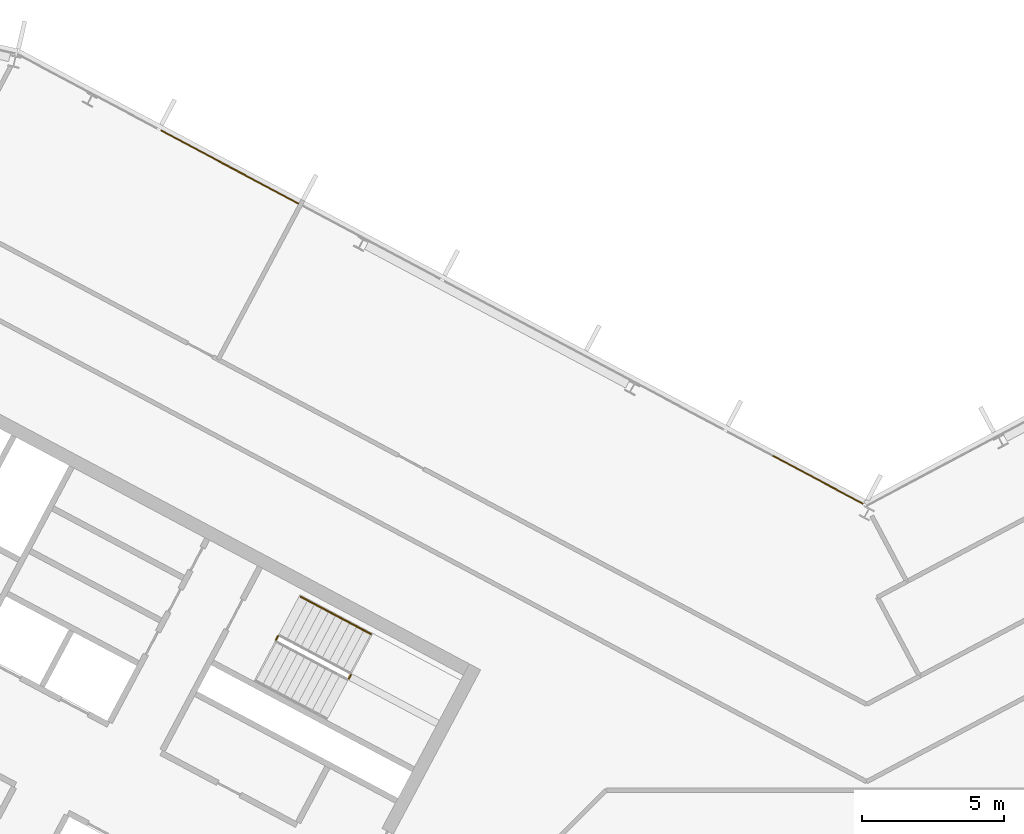
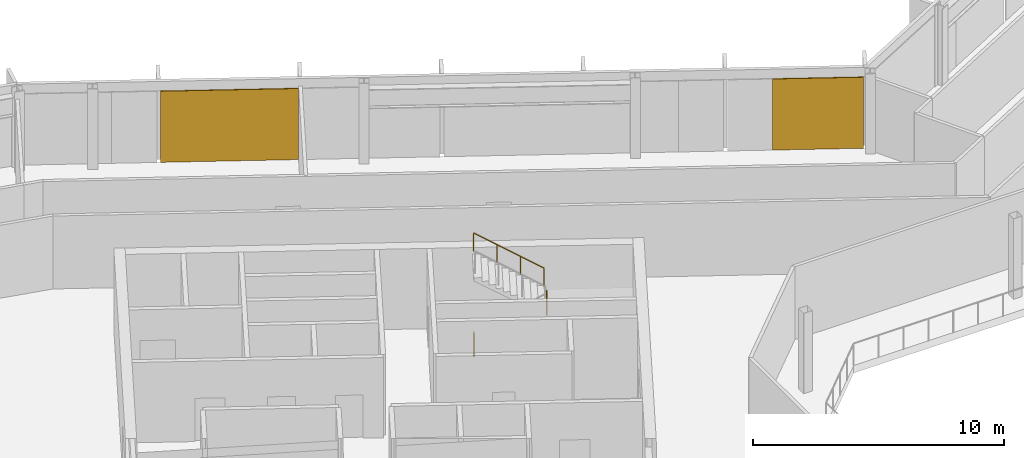
# One storey, part 23 of 26: 3 railings, 2 coverings, 1 element without a shape of its own.
"""IFC4 building model written with IfcOpenShell, lengths in metres."""

from ifc_helpers import new_model, si_unit, direction, frame, origin, origin_2d, place, context, subcontext, project, spatial, polyline, rectangle, outline, extrude, material, layer, layer_set, type_object, element, aggregate, save


model = new_model("IFC4")

# Units and contexts
model_context = context("Model", 3, precision=1e-05, world=origin(), true_north=direction((0.0, 1.0)))
body_context = subcontext(model_context, "Body", "Model", "MODEL_VIEW")
ifc_project = project(units=[si_unit("LENGTHUNIT", "METRE"), si_unit("AREAUNIT", "SQUARE_METRE"), si_unit("VOLUMEUNIT", "CUBIC_METRE"), si_unit("PLANEANGLEUNIT", "RADIAN"), si_unit("MASSUNIT", "GRAM", prefix="KILO")], contexts=[model_context])

# Site, building, storey
site_placement = place(None, origin())
site = spatial("IfcSite", under=ifc_project, at=site_placement, CompositionType="ELEMENT")
building_placement = place(site_placement, origin())
building = spatial("IfcBuilding", under=site, at=building_placement, Name="Cormorant Relay Tower", CompositionType="ELEMENT")
storey_placement = place(building_placement, frame((0.0, 0.0, 285.300048828125)))
storey = spatial("IfcBuildingStorey", under=building, at=storey_placement, Name="L64", CompositionType="ELEMENT", Elevation=285.300048828125)

# Curtain wall, coverings
ifc_material_1 = material(Name="Aluminium 6063-T6 anodised bronze", Category="aluminium")
ifc_layer_1 = layer(ifc_material_1, 0.199951171875)
ifc_layer_set_1 = layer_set([ifc_layer_1], Name="CW1 unitised bronze curtain wall with vertical fins")
curtain_wall_type = type_object("IfcCurtainWallType", Name="CW1 unitised bronze curtain wall with vertical fins", PredefinedType="NOTDEFINED", material=ifc_layer_set_1)
curtain_wall_placement = place(storey_placement, origin())
curtain_wall = element("IfcCurtainWall", 1, at=curtain_wall_placement, inside=storey, type_object=curtain_wall_type, Name="CW1 curtain wall 9", PredefinedType="NOTDEFINED")
ifc_material_2 = material(Name="Pale bronze anodised aluminium insulated panel", Category="aluminium")
ifc_layer_2 = layer(ifc_material_2, 0.0400390625)
ifc_layer_set_2 = layer_set([ifc_layer_2], Name="CW1 pale bronze insulated panel 40")
covering_type = type_object("IfcCoveringType", Name="CW1 pale bronze insulated panel 40", PredefinedType="CLADDING", material=ifc_layer_set_2)
covering_1_placement = place(storey_placement, frame((-1.718505859375, 24.720458984375, 0.0), z_axis=(0.0, 0.0, 1.0), x_axis=(-0.882947592859, 0.469471562786, 0.0)))
covering_1 = element("IfcCovering", 2, at=covering_1_placement, type_object=covering_type, Name="CW1 panel S00", PredefinedType="CLADDING", context=body_context, shape_type="SweptSolid", body=[
    extrude(rectangle(XDim=3.614013671875, YDim=0.0400390625, at=origin_2d()), origin(), (0.0, 0.0, 1.0), 3.449951171875),
])
covering_2_placement = place(storey_placement, frame((-22.39599609375, 35.714599609375, 0.0), z_axis=(0.0, 0.0, 1.0), x_axis=(-0.882947592859, 0.469471562786, 0.0)))
covering_2 = element("IfcCovering", 3, at=covering_2_placement, type_object=covering_type, Name="CW1 panel S05", PredefinedType="CLADDING", context=body_context, shape_type="SweptSolid", body=[
    extrude(rectangle(XDim=5.489013671875, YDim=0.0400390625, at=origin_2d()), origin(), (0.0, 0.0, 1.0), 3.449951171875),
])
aggregate(curtain_wall, [covering_1, covering_2])

# Railings
ifc_material_3 = material(Name="Steel ASTM A572 Grade 50 (Fy 345 MPa)", Category="steel")
railing_type_1 = type_object("IfcRailingType", Name="Stair guard 1100", PredefinedType="GUARDRAIL", material=ifc_material_3)
railing_1_placement = place(storey_placement, frame((-18.210693359375, 17.72412109375, 1.949951171875)))
element("IfcRailing", 4, at=railing_1_placement, inside=storey, type_object=railing_type_1, Name="L64 A1 stair guard 2", PredefinedType="GUARDRAIL", context=body_context, shape_type="SweptSolid", body=[
    extrude(outline(polyline([(0.022216796875, 0.00927734375), (0.00927734375, 0.022216796875), (-0.00927734375, 0.022216796875), (-0.022216796875, 0.00927734375), (-0.022216796875, -0.00927734375), (-0.00927734375, -0.022216796875), (0.00927734375, -0.022216796875), (0.022216796875, -0.00927734375), (0.022216796875, 0.00927734375)])), frame((0.0, 0.0, 1.076171875), z_axis=(0.470503732759, 0.882398003998, 0.0), x_axis=(-0.882398003998, 0.470503732759, 0.0)), (0.0, 0.0, 1.0), 0.14990234375),
    extrude(outline(polyline([(0.019287109375, 0.008056640625), (0.008056640625, 0.019287109375), (-0.008056640625, 0.019287109375), (-0.019287109375, 0.008056640625), (-0.019287109375, -0.008056640625), (-0.008056640625, -0.019287109375), (0.008056640625, -0.019287109375), (0.019287109375, -0.008056640625), (0.019287109375, 0.008056640625)])), origin(), (0.0, 0.0, 1.0), 1.052001953125),
    extrude(outline(polyline([(0.019287109375, 0.008056640625), (0.008056640625, 0.019287109375), (-0.008056640625, 0.019287109375), (-0.019287109375, 0.008056640625), (-0.019287109375, -0.008056640625), (-0.008056640625, -0.019287109375), (0.008056640625, -0.019287109375), (0.019287109375, -0.008056640625), (0.019287109375, 0.008056640625)])), frame((0.070556640625, 0.13232421875, 0.0)), (0.0, 0.0, 1.0), 1.052001953125),
])
railing_2_placement = place(storey_placement, frame((-20.771240234375, 19.08544921875, 0.0)))
element("IfcRailing", 5, at=railing_2_placement, inside=storey, type_object=railing_type_1, Name="L64 A1 stair guard 4", PredefinedType="GUARDRAIL", context=body_context, shape_type="SweptSolid", body=[
    extrude(outline(polyline([(0.022216796875, 0.00927734375), (0.00927734375, 0.022216796875), (-0.00927734375, 0.022216796875), (-0.022216796875, 0.00927734375), (-0.022216796875, -0.00927734375), (-0.00927734375, -0.022216796875), (0.00927734375, -0.022216796875), (0.022216796875, -0.00927734375), (0.022216796875, 0.00927734375)])), frame((0.0, 0.0, 1.076171875), z_axis=(0.469828648786, 0.882757634224, 0.0), x_axis=(-0.882757634224, 0.469828648786, 0.0)), (0.0, 0.0, 1.0), 0.150146484375),
    extrude(outline(polyline([(0.019287109375, 0.008056640625), (0.008056640625, 0.019287109375), (-0.008056640625, 0.019287109375), (-0.019287109375, 0.008056640625), (-0.019287109375, -0.008056640625), (-0.008056640625, -0.019287109375), (0.008056640625, -0.019287109375), (0.019287109375, -0.008056640625), (0.019287109375, 0.008056640625)])), origin(), (0.0, 0.0, 1.0), 1.052001953125),
    extrude(outline(polyline([(0.019287109375, 0.008056640625), (0.008056640625, 0.019287109375), (-0.008056640625, 0.019287109375), (-0.019287109375, 0.008056640625), (-0.019287109375, -0.008056640625), (-0.008056640625, -0.019287109375), (0.008056640625, -0.019287109375), (0.019287109375, -0.008056640625), (0.019287109375, 0.008056640625)])), frame((0.070556640625, 0.132568359375, 0.0)), (0.0, 0.0, 1.0), 1.052001953125),
])
ifc_material_4 = material(Name="Steel ASTM A572 Grade 50 (Fy 345 MPa)", Category="steel")
railing_type_2 = type_object("IfcRailingType", Name="Stair handrail 900", PredefinedType="HANDRAIL", material=ifc_material_4)
railing_3_placement = place(storey_placement, frame((-17.433349609375, 19.292724609375, 2.127197265625)))
element("IfcRailing", 6, at=railing_3_placement, inside=storey, type_object=railing_type_2, Name="L64 A1 stair handrail 2", PredefinedType="HANDRAIL", context=body_context, shape_type="SweptSolid", body=[
    extrude(outline(polyline([(0.022216796875, 0.00927734375), (0.00927734375, 0.022216796875), (-0.00927734375, 0.022216796875), (-0.022216796875, 0.00927734375), (-0.022216796875, -0.00927734375), (-0.00927734375, -0.022216796875), (0.00927734375, -0.022216796875), (0.022216796875, -0.00927734375), (0.022216796875, 0.00927734375)])), frame((0.0, 0.0, 0.8759765625), z_axis=(-0.746001213114, 0.396649272309, 0.534931345884), x_axis=(-0.469465464807, -0.882950835185, 0.0)), (0.0, 0.0, 1.0), 3.31396484375),
    extrude(outline(polyline([(0.019287109375, 0.008056640625), (0.008056640625, 0.019287109375), (-0.008056640625, 0.019287109375), (-0.019287109375, 0.008056640625), (-0.019287109375, -0.008056640625), (-0.008056640625, -0.019287109375), (0.008056640625, -0.019287109375), (0.019287109375, -0.008056640625), (0.019287109375, 0.008056640625)])), origin(), (0.0, 0.0, 1.0), 0.851806640625),
    extrude(outline(polyline([(0.019287109375, 0.008056640625), (0.008056640625, 0.019287109375), (-0.008056640625, 0.019287109375), (-0.019287109375, 0.008056640625), (-0.019287109375, -0.008056640625), (-0.008056640625, -0.019287109375), (0.008056640625, -0.019287109375), (0.019287109375, -0.008056640625), (0.019287109375, 0.008056640625)])), frame((-0.823974609375, 0.438232421875, 0.5908203125)), (0.0, 0.0, 1.0), 0.851806640625),
    extrude(outline(polyline([(0.019287109375, 0.008056640625), (0.008056640625, 0.019287109375), (-0.008056640625, 0.019287109375), (-0.019287109375, 0.008056640625), (-0.019287109375, -0.008056640625), (-0.008056640625, -0.019287109375), (0.008056640625, -0.019287109375), (0.019287109375, -0.008056640625), (0.019287109375, 0.008056640625)])), frame((-1.648193359375, 0.876220703125, 1.181884765625)), (0.0, 0.0, 1.0), 0.851806640625),
    extrude(outline(polyline([(0.019287109375, 0.008056640625), (0.008056640625, 0.019287109375), (-0.008056640625, 0.019287109375), (-0.019287109375, 0.008056640625), (-0.019287109375, -0.008056640625), (-0.008056640625, -0.019287109375), (0.008056640625, -0.019287109375), (0.019287109375, -0.008056640625), (0.019287109375, 0.008056640625)])), frame((-2.47216796875, 1.314453125, 1.772705078125)), (0.0, 0.0, 1.0), 0.851806640625),
])

save(model, "model.ifc")
